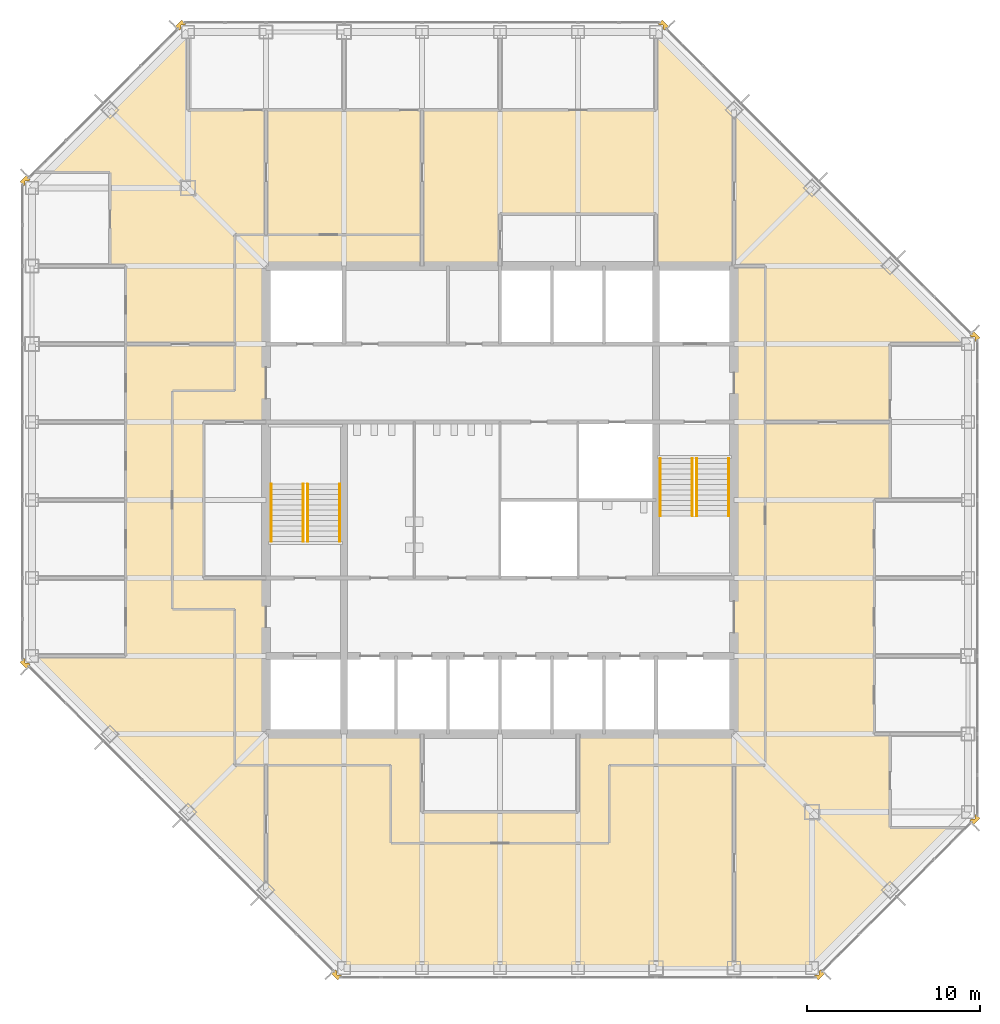
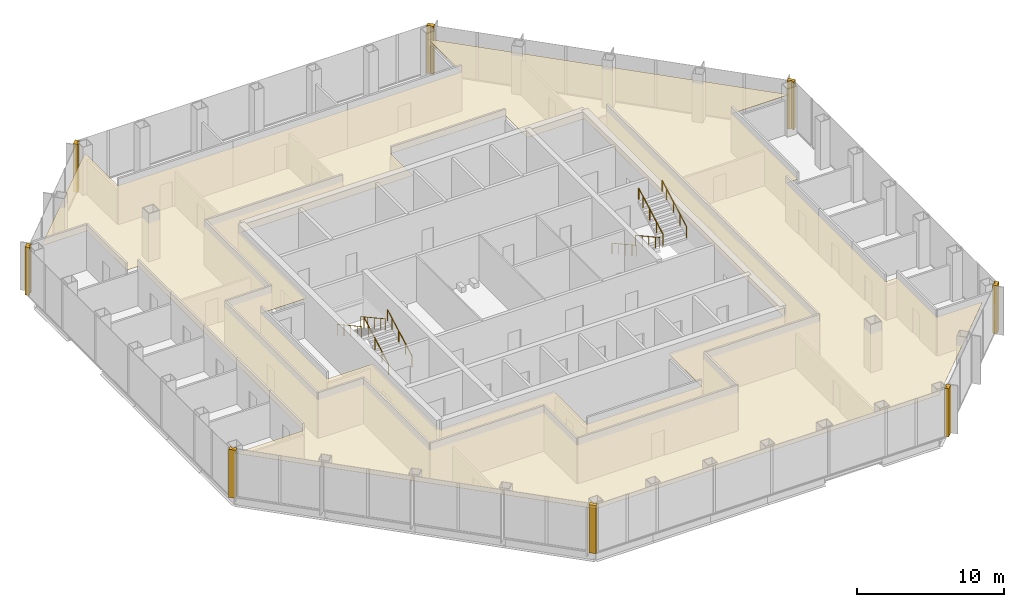
# One storey, part 12 of 13: 9 coverings, 8 railings.
"""IFC4 building model written with IfcOpenShell, lengths in metres."""

from ifc_helpers import new_model, si_unit, direction, frame, origin, origin_2d, place, context, subcontext, project, spatial, polyline, circle, outline, extrude, material, layer, layer_set, type_object, element, save


model = new_model("IFC4")

# Units and contexts
model_context = context("Model", 3, precision=1e-05, world=origin(), true_north=direction((0.0, 1.0)))
body_context = subcontext(model_context, "Body", "Model", "MODEL_VIEW")
ifc_project = project(units=[si_unit("LENGTHUNIT", "METRE"), si_unit("AREAUNIT", "SQUARE_METRE"), si_unit("VOLUMEUNIT", "CUBIC_METRE"), si_unit("PLANEANGLEUNIT", "RADIAN"), si_unit("MASSUNIT", "GRAM", prefix="KILO")], contexts=[model_context])

# Site, building, storey
site_placement = place(None, origin())
site = spatial("IfcSite", under=ifc_project, at=site_placement, CompositionType="ELEMENT")
building_placement = place(site_placement, origin())
building = spatial("IfcBuilding", under=site, at=building_placement, Name="Corais Broadcast Tower", CompositionType="ELEMENT")
storey_placement = place(building_placement, frame((0.0, 0.0, 195.60009765625)))
storey = spatial("IfcBuildingStorey", under=building, at=storey_placement, Name="L45", CompositionType="ELEMENT", Elevation=195.60009765625)

# Railings
ifc_material_1 = material(Name="Stainless steel handrail", Category="steel")
railing_type = type_object("IfcRailingType", Name="Handrail 920", PredefinedType="HANDRAIL", material=ifc_material_1)
for number, where, name in (
    (1, (17.75, 24.60009765625, 0.16650390625), "HR1 L45"),
    (2, (15.89990234375, 24.60009765625, 0.16650390625), "HR1 L45"),
):
    element("IfcRailing", number, at=place(storey_placement, frame(where)), inside=storey, type_object=railing_type, Name=name, PredefinedType="HANDRAIL", context=body_context, shape_type="SweptSolid", body=[
        extrude(circle(Radius=0.02392578125, at=origin_2d()), frame((0.0, 0.0, 0.89599609375), z_axis=(0.0, 0.875504475178, 0.483210010185), x_axis=(-1.0, 0.0, 0.0)), (0.0, 0.0, 1.0), 3.79443359375),
        extrude(circle(Radius=0.02099609375, at=origin_2d()), origin(), (0.0, 0.0, 1.0), 0.871826171875),
        extrude(circle(Radius=0.02099609375, at=origin_2d()), frame((0.0, 0.906005859375, 0.5)), (0.0, 0.0, 1.0), 0.871826171875),
        extrude(circle(Radius=0.02099609375, at=origin_2d()), frame((0.0, 1.81201171875, 1.0)), (0.0, 0.0, 1.0), 0.871826171875),
        extrude(circle(Radius=0.02099609375, at=origin_2d()), frame((0.0, 2.718017578125, 1.500244140625)), (0.0, 0.0, 1.0), 0.871826171875),
        extrude(circle(Radius=0.02099609375, at=origin_2d()), frame((0.0, 3.322021484375, 1.83349609375)), (0.0, 0.0, 1.0), 0.871826171875),
    ])
for number, where, name in (
    (3, (13.800048828125, 27.922119140625, 2.16650390625), "HR1 L45"),
    (4, (15.64990234375, 27.922119140625, 2.16650390625), "HR1 L45"),
    (5, (36.25, 29.39990234375, 0.16650390625), "HR1 L45"),
    (6, (38.10009765625, 29.39990234375, 0.16650390625), "HR1 L45"),
):
    element("IfcRailing", number, at=place(storey_placement, frame(where)), inside=storey, type_object=railing_type, Name=name, PredefinedType="HANDRAIL", context=body_context, shape_type="SweptSolid", body=[
        extrude(circle(Radius=0.02392578125, at=origin_2d()), frame((0.0, 0.0, 0.89599609375), z_axis=(0.0, -0.875504475178, 0.483210010185), x_axis=(1.0, 0.0, 0.0)), (0.0, 0.0, 1.0), 3.79443359375),
        extrude(circle(Radius=0.02099609375, at=origin_2d()), origin(), (0.0, 0.0, 1.0), 0.871826171875),
        extrude(circle(Radius=0.02099609375, at=origin_2d()), frame((0.0, -0.906005859375, 0.5)), (0.0, 0.0, 1.0), 0.871826171875),
        extrude(circle(Radius=0.02099609375, at=origin_2d()), frame((0.0, -1.81201171875, 1.0)), (0.0, 0.0, 1.0), 0.871826171875),
        extrude(circle(Radius=0.02099609375, at=origin_2d()), frame((0.0, -2.718017578125, 1.500244140625)), (0.0, 0.0, 1.0), 0.871826171875),
        extrude(circle(Radius=0.02099609375, at=origin_2d()), frame((0.0, -3.322021484375, 1.83349609375)), (0.0, 0.0, 1.0), 0.871826171875),
    ])
for number, where, name in (
    (7, (40.199951171875, 26.077880859375, 2.16650390625), "HR1 L45"),
    (8, (38.35009765625, 26.077880859375, 2.16650390625), "HR1 L45"),
):
    element("IfcRailing", number, at=place(storey_placement, frame(where)), inside=storey, type_object=railing_type, Name=name, PredefinedType="HANDRAIL", context=body_context, shape_type="SweptSolid", body=[
        extrude(circle(Radius=0.02392578125, at=origin_2d()), frame((0.0, 0.0, 0.89599609375), z_axis=(0.0, 0.875504475178, 0.483210010185), x_axis=(-1.0, 0.0, 0.0)), (0.0, 0.0, 1.0), 3.79443359375),
        extrude(circle(Radius=0.02099609375, at=origin_2d()), origin(), (0.0, 0.0, 1.0), 0.871826171875),
        extrude(circle(Radius=0.02099609375, at=origin_2d()), frame((0.0, 0.906005859375, 0.5)), (0.0, 0.0, 1.0), 0.871826171875),
        extrude(circle(Radius=0.02099609375, at=origin_2d()), frame((0.0, 1.81201171875, 1.0)), (0.0, 0.0, 1.0), 0.871826171875),
        extrude(circle(Radius=0.02099609375, at=origin_2d()), frame((0.0, 2.718017578125, 1.500244140625)), (0.0, 0.0, 1.0), 0.871826171875),
        extrude(circle(Radius=0.02099609375, at=origin_2d()), frame((0.0, 3.322021484375, 1.83349609375)), (0.0, 0.0, 1.0), 0.871826171875),
    ])

# Coverings
ifc_material_2 = material(Name="Granite stone cladding", Category="masonry")
ifc_layer_1 = layer(ifc_material_2, 0.324951171875)
ifc_layer_set_1 = layer_set([ifc_layer_1], Name="Granite stone cladding")
covering_type_1 = type_object("IfcCoveringType", Name="Stone corner pier cladding 500x325", PredefinedType="CLADDING", material=ifc_layer_set_1)
covering_1_placement = place(storey_placement, origin())
element("IfcCovering", 9, at=covering_1_placement, inside=storey, type_object=covering_type_1, Name="SP1 stone corner pier L45", PredefinedType="CLADDING", context=body_context, shape_type="SweptSolid", body=[
    extrude(outline(polyline([(17.860595703125, -0.461669921875), (17.799072265625, -0.39990234375), (17.60009765625, -0.39990234375), (17.60009765625, -0.200927734375), (17.507080078125, -0.108154296875), (17.277099609375, -0.337890625), (17.630859375, -0.69140625), (17.860595703125, -0.461669921875)])), origin(), (0.0, 0.0, 1.0), 4.0),
])
covering_2_placement = place(storey_placement, origin())
element("IfcCovering", 10, at=covering_2_placement, inside=storey, type_object=covering_type_1, Name="SP1 stone corner pier L45", PredefinedType="CLADDING", context=body_context, shape_type="SweptSolid", body=[
    extrude(outline(polyline([(-0.39990234375, 17.799072265625), (-0.461669921875, 17.860595703125), (-0.69140625, 17.630859375), (-0.337890625, 17.277099609375), (-0.108154296875, 17.507080078125), (-0.200927734375, 17.60009765625), (-0.39990234375, 17.60009765625), (-0.39990234375, 17.799072265625)])), origin(), (0.0, 0.0, 1.0), 4.0),
])
covering_3_placement = place(storey_placement, origin())
element("IfcCovering", 11, at=covering_3_placement, inside=storey, type_object=covering_type_1, Name="SP1 stone corner pier L45", PredefinedType="CLADDING", context=body_context, shape_type="SweptSolid", body=[
    extrude(outline(polyline([(-0.461669921875, 45.139404296875), (-0.39990234375, 45.200927734375), (-0.39990234375, 45.39990234375), (-0.200927734375, 45.39990234375), (-0.108154296875, 45.492919921875), (-0.337890625, 45.722900390625), (-0.69140625, 45.369140625), (-0.461669921875, 45.139404296875)])), origin(), (0.0, 0.0, 1.0), 4.0),
])
covering_4_placement = place(storey_placement, origin())
element("IfcCovering", 12, at=covering_4_placement, inside=storey, type_object=covering_type_1, Name="SP1 stone corner pier L45", PredefinedType="CLADDING", context=body_context, shape_type="SweptSolid", body=[
    extrude(outline(polyline([(8.799072265625, 54.39990234375), (8.860595703125, 54.461669921875), (8.630859375, 54.69140625), (8.277099609375, 54.337890625), (8.507080078125, 54.108154296875), (8.60009765625, 54.200927734375), (8.60009765625, 54.39990234375), (8.799072265625, 54.39990234375)])), origin(), (0.0, 0.0, 1.0), 4.0),
])
covering_5_placement = place(storey_placement, origin())
element("IfcCovering", 13, at=covering_5_placement, inside=storey, type_object=covering_type_1, Name="SP1 stone corner pier L45", PredefinedType="CLADDING", context=body_context, shape_type="SweptSolid", body=[
    extrude(outline(polyline([(36.139404296875, 54.461669921875), (36.200927734375, 54.39990234375), (36.39990234375, 54.39990234375), (36.39990234375, 54.200927734375), (36.492919921875, 54.108154296875), (36.722900390625, 54.337890625), (36.369140625, 54.69140625), (36.139404296875, 54.461669921875)])), origin(), (0.0, 0.0, 1.0), 4.0),
])
covering_6_placement = place(storey_placement, origin())
element("IfcCovering", 14, at=covering_6_placement, inside=storey, type_object=covering_type_1, Name="SP1 stone corner pier L45", PredefinedType="CLADDING", context=body_context, shape_type="SweptSolid", body=[
    extrude(outline(polyline([(54.39990234375, 36.200927734375), (54.461669921875, 36.139404296875), (54.69140625, 36.369140625), (54.337890625, 36.722900390625), (54.108154296875, 36.492919921875), (54.200927734375, 36.39990234375), (54.39990234375, 36.39990234375), (54.39990234375, 36.200927734375)])), origin(), (0.0, 0.0, 1.0), 4.0),
])
covering_7_placement = place(storey_placement, origin())
element("IfcCovering", 15, at=covering_7_placement, inside=storey, type_object=covering_type_1, Name="SP1 stone corner pier L45", PredefinedType="CLADDING", context=body_context, shape_type="SweptSolid", body=[
    extrude(outline(polyline([(54.461669921875, 8.860595703125), (54.39990234375, 8.799072265625), (54.39990234375, 8.60009765625), (54.200927734375, 8.60009765625), (54.108154296875, 8.507080078125), (54.337890625, 8.277099609375), (54.69140625, 8.630859375), (54.461669921875, 8.860595703125)])), origin(), (0.0, 0.0, 1.0), 4.0),
])
covering_8_placement = place(storey_placement, origin())
element("IfcCovering", 16, at=covering_8_placement, inside=storey, type_object=covering_type_1, Name="SP1 stone corner pier L45", PredefinedType="CLADDING", context=body_context, shape_type="SweptSolid", body=[
    extrude(outline(polyline([(45.200927734375, -0.39990234375), (45.139404296875, -0.461669921875), (45.369140625, -0.69140625), (45.722900390625, -0.337890625), (45.492919921875, -0.108154296875), (45.39990234375, -0.200927734375), (45.39990234375, -0.39990234375), (45.200927734375, -0.39990234375)])), origin(), (0.0, 0.0, 1.0), 4.0),
])
ifc_material_3 = material(Name="Mineral fibre ceiling tile", Category="mineral")
ifc_layer_2 = layer(ifc_material_3, 0.02001953125)
ifc_layer_set_2 = layer_set([ifc_layer_2], Name="Mineral fibre ceiling tile")
covering_type_2 = type_object("IfcCoveringType", Name="Suspended ceiling", PredefinedType="CEILING", material=ifc_layer_set_2)
covering_9_placement = place(storey_placement, frame((0.0, 0.0, 3.179931640625)))
element("IfcCovering", 17, at=covering_9_placement, inside=storey, type_object=covering_type_2, Name="CE1 ceiling L45", PredefinedType="CEILING", context=body_context, shape_type="SweptSolid", body=[
    extrude(outline(polyline([(49.5, 27.0), (48.60009765625, 27.0), (48.60009765625, 13.5), (49.5, 13.5), (49.5, 8.10009765625), (53.10009765625, 8.10009765625), (45.0, 0.0), (18.0, 0.0), (13.501708984375, 4.498291015625), (13.50048828125, 4.49951171875), (13.499755859375, 4.500244140625), (0.0, 18.0), (5.39990234375, 18.0), (5.39990234375, 40.5), (4.5, 40.5), (4.5, 45.89990234375), (0.89990234375, 45.89990234375), (9.0, 54.0), (9.0, 49.5), (36.0, 49.5), (36.0, 54.0), (54.0, 36.0), (49.5, 36.0), (49.5, 27.0)]), holes=[polyline([(13.5, 40.5), (13.5, 31.5), (9.89990234375, 31.5), (9.89990234375, 22.5), (13.5, 22.5), (13.5, 13.5), (22.5, 13.5), (22.5, 9.0), (31.5, 9.0), (31.5, 13.5), (40.5, 13.5), (40.5, 40.5), (36.0, 40.5), (36.0, 43.5), (27.0, 43.5), (27.0, 40.5), (13.5, 40.5)])]), origin(), (0.0, 0.0, 1.0), 0.02001953125),
])

save(model, "model.ifc")
